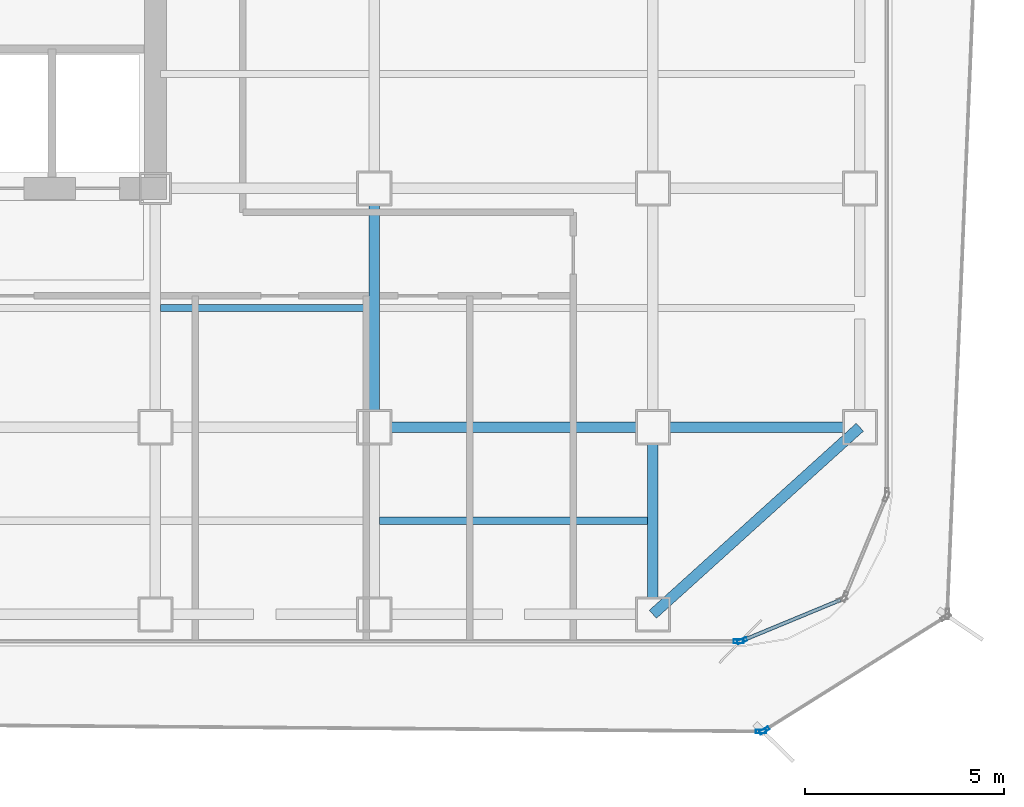
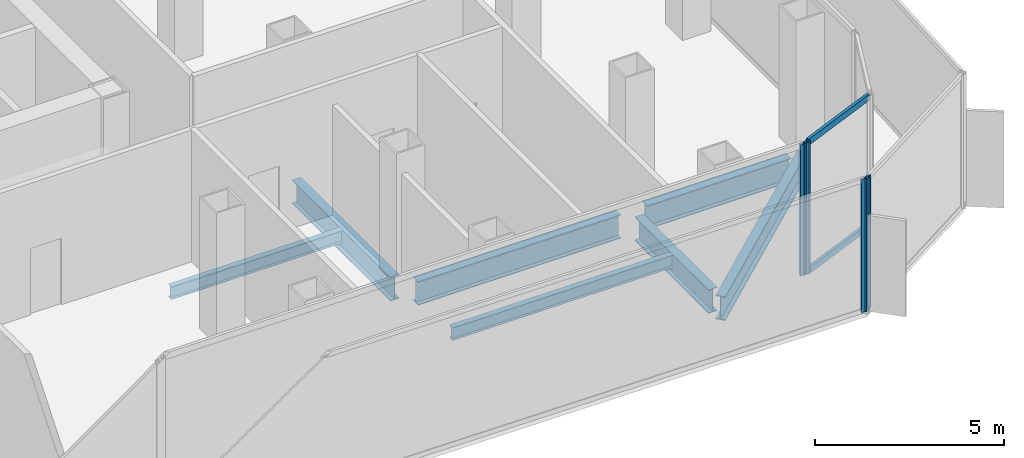
# One storey, part 6 of 21: 7 beams, 6 members, 4 elements without a shape of their own.
"""IFC4 building model written with IfcOpenShell, lengths in metres."""

from ifc_helpers import new_model, si_unit, direction, frame, origin, origin_2d, place, context, subcontext, project, spatial, hollow_rectangle, i_section, extrude, source, transform, mapped, material, layer, layer_set, material_profile, profile_set, type_object, element, aggregate, save


model = new_model("IFC4")

# Units and contexts
model_context = context("Model", 3, precision=1e-05, world=origin(), true_north=direction((0.0, 1.0)))
body_context = subcontext(model_context, "Body", "Model", "MODEL_VIEW")
ifc_project = project(units=[si_unit("LENGTHUNIT", "METRE"), si_unit("AREAUNIT", "SQUARE_METRE"), si_unit("VOLUMEUNIT", "CUBIC_METRE"), si_unit("PLANEANGLEUNIT", "RADIAN"), si_unit("MASSUNIT", "GRAM", prefix="KILO")], contexts=[model_context])

# Site, building, storey
site_placement = place(None, origin())
site = spatial("IfcSite", under=ifc_project, at=site_placement, CompositionType="ELEMENT")
building_placement = place(site_placement, origin())
building = spatial("IfcBuilding", under=site, at=building_placement, Name="Kolveth Station Tower", CompositionType="ELEMENT")
storey_placement = place(building_placement, frame((0.0, 0.0, 88.199951171875)))
storey = spatial("IfcBuildingStorey", under=building, at=storey_placement, Name="L23", CompositionType="ELEMENT", Elevation=88.199951171875)

# Beams
ifc_material_1 = material(Name="Steel S355", Category="steel")
ifc_material_profile_1 = material_profile(ifc_material_1, i_section(OverallWidth=0.26904296875, OverallDepth=0.77490234375, WebThickness=0.01708984375, FlangeThickness=0.0283203125, at=origin_2d()), Name="W760x220")
ifc_profile_set_1 = profile_set([ifc_material_profile_1], Name="Steel S355")
beam_type_1 = type_object("IfcBeamType", Name="Beam_SP1", PredefinedType="SPANDREL", material=ifc_profile_set_1)
shared_shape_1 = source(origin(), body_context, "Body", "SweptSolid", [
    extrude(i_section(OverallWidth=0.26904296875, OverallDepth=0.77490234375, WebThickness=0.01708984375, FlangeThickness=0.0283203125, at=origin_2d()), origin(), (0.0, 0.0, 1.0), 7.00927734375),
])
beam_1_placement = place(storey_placement, frame((41.0, 0.800048828125, -0.74755859375), z_axis=(0.741874009795, 0.670539300557, 0.0), x_axis=(-0.670539300557, 0.741874009795, 0.0)))
element("IfcBeam", 1, at=beam_1_placement, inside=storey, type_object=beam_type_1, Name="L23 Corner Edge Girder BM-L23-CNR-SE", PredefinedType="SPANDREL", context=body_context, shape_type="MappedRepresentation", body=[
    mapped(shared_shape_1, transform((0.0, 0.0, 0.0), x_axis=(1.0, 0.0, 0.0), y_axis=(0.0, 1.0, 0.0), z_axis=(0.0, 0.0, 1.0), scale=1.0)),
])
ifc_material_profile_2 = material_profile(ifc_material_1, i_section(OverallWidth=0.26708984375, OverallDepth=0.76611328125, WebThickness=0.014892578125, FlangeThickness=0.023681640625, at=origin_2d()), Name="W760x185")
ifc_profile_set_2 = profile_set([ifc_material_profile_2], Name="Steel S355")
beam_type_2 = type_object("IfcBeamType", Name="Beam_B3", PredefinedType="BEAM", material=ifc_profile_set_2)
shared_shape_2 = source(origin(), body_context, "Body", "SweptSolid", [
    extrude(i_section(OverallWidth=0.26708984375, OverallDepth=0.76611328125, WebThickness=0.014892578125, FlangeThickness=0.023681640625, at=origin_2d()), origin(), (0.0, 0.0, 1.0), 4.400146484375),
])
beam_2_placement = place(storey_placement, frame((41.39990234375, 5.5, -0.742919921875), z_axis=(1.0, 0.0, 0.0), x_axis=(0.0, 1.0, 0.0)))
element("IfcBeam", 2, at=beam_2_placement, inside=storey, type_object=beam_type_2, Name="L23 Primary Girder BM-L23-GY55-7", PredefinedType="BEAM", context=body_context, shape_type="MappedRepresentation", body=[
    mapped(shared_shape_2, transform((0.0, 0.0, 0.0), x_axis=(1.0, 0.0, 0.0), y_axis=(0.0, 1.0, 0.0), z_axis=(0.0, 0.0, 1.0), scale=1.0)),
])
shared_shape_3 = source(origin(), body_context, "Body", "SweptSolid", [
    extrude(i_section(OverallWidth=0.26708984375, OverallDepth=0.76611328125, WebThickness=0.014892578125, FlangeThickness=0.023681640625, at=origin_2d()), origin(), (0.0, 0.0, 1.0), 6.2001953125),
])
beam_3_placement = place(storey_placement, frame((34.39990234375, 5.5, -0.742919921875), z_axis=(1.0, 0.0, 0.0), x_axis=(0.0, 1.0, 0.0)))
element("IfcBeam", 3, at=beam_3_placement, inside=storey, type_object=beam_type_2, Name="L23 Primary Girder BM-L23-GY55-6", PredefinedType="BEAM", context=body_context, shape_type="MappedRepresentation", body=[
    mapped(shared_shape_3, transform((0.0, 0.0, 0.0), x_axis=(1.0, 0.0, 0.0), y_axis=(0.0, 1.0, 0.0), z_axis=(0.0, 0.0, 1.0), scale=1.0)),
])
shared_shape_4 = source(origin(), body_context, "Body", "SweptSolid", [
    extrude(i_section(OverallWidth=0.26708984375, OverallDepth=0.76611328125, WebThickness=0.014892578125, FlangeThickness=0.023681640625, at=origin_2d()), origin(), (0.0, 0.0, 1.0), 3.900146484375),
])
beam_4_placement = place(storey_placement, frame((41.0, 1.199951171875, -0.742919921875), z_axis=(0.0, 1.0, 0.0), x_axis=(-1.0, 0.0, 0.0)))
element("IfcBeam", 4, at=beam_4_placement, inside=storey, type_object=beam_type_2, Name="L23 Primary Girder BM-L23-GX410-1", PredefinedType="BEAM", context=body_context, shape_type="MappedRepresentation", body=[
    mapped(shared_shape_4, transform((0.0, 0.0, 0.0), x_axis=(1.0, 0.0, 0.0), y_axis=(0.0, 1.0, 0.0), z_axis=(0.0, 0.0, 1.0), scale=1.0)),
])
shared_shape_5 = source(origin(), body_context, "Body", "SweptSolid", [
    extrude(i_section(OverallWidth=0.26708984375, OverallDepth=0.76611328125, WebThickness=0.014892578125, FlangeThickness=0.023681640625, at=origin_2d()), origin(), (0.0, 0.0, 1.0), 5.2001953125),
])
beam_5_placement = place(storey_placement, frame((34.0, 5.89990234375, -0.742919921875), z_axis=(0.0, 1.0, 0.0), x_axis=(-1.0, 0.0, 0.0)))
element("IfcBeam", 5, at=beam_5_placement, inside=storey, type_object=beam_type_2, Name="L23 Primary Girder BM-L23-GX340-2", PredefinedType="BEAM", context=body_context, shape_type="MappedRepresentation", body=[
    mapped(shared_shape_5, transform((0.0, 0.0, 0.0), x_axis=(1.0, 0.0, 0.0), y_axis=(0.0, 1.0, 0.0), z_axis=(0.0, 0.0, 1.0), scale=1.0)),
])
ifc_material_profile_3 = material_profile(ifc_material_1, i_section(OverallWidth=0.177978515625, OverallDepth=0.406982421875, WebThickness=0.0078125, FlangeThickness=0.0126953125, at=origin_2d()), Name="W410x60")
ifc_profile_set_3 = profile_set([ifc_material_profile_3], Name="Steel S355")
beam_type_3 = type_object("IfcBeamType", Name="Beam_J1", PredefinedType="JOIST", material=ifc_profile_set_3)
shared_shape_6 = source(origin(), body_context, "Body", "SweptSolid", [
    extrude(i_section(OverallWidth=0.177978515625, OverallDepth=0.406982421875, WebThickness=0.0078125, FlangeThickness=0.0126953125, at=origin_2d()), origin(), (0.0, 0.0, 1.0), 6.73681640625),
])
beam_6_placement = place(storey_placement, frame((34.131591796875, 3.14990234375, -0.5634765625), z_axis=(1.0, 0.0, 0.0), x_axis=(0.0, 1.0, 0.0)))
element("IfcBeam", 6, at=beam_6_placement, inside=storey, type_object=beam_type_3, Name="L23 Secondary Joist JST-L23-6-1", PredefinedType="JOIST", context=body_context, shape_type="MappedRepresentation", body=[
    mapped(shared_shape_6, transform((0.0, 0.0, 0.0), x_axis=(1.0, 0.0, 0.0), y_axis=(0.0, 1.0, 0.0), z_axis=(0.0, 0.0, 1.0), scale=1.0)),
])
shared_shape_7 = source(origin(), body_context, "Body", "SweptSolid", [
    extrude(i_section(OverallWidth=0.177978515625, OverallDepth=0.406982421875, WebThickness=0.0078125, FlangeThickness=0.0126953125, at=origin_2d()), origin(), (0.0, 0.0, 1.0), 5.23681640625),
])
beam_7_placement = place(storey_placement, frame((28.631591796875, 8.5, -0.5634765625), z_axis=(1.0, 0.0, 0.0), x_axis=(0.0, 1.0, 0.0)))
element("IfcBeam", 7, at=beam_7_placement, inside=storey, type_object=beam_type_3, Name="L23 Secondary Joist JST-L23-5-2", PredefinedType="JOIST", context=body_context, shape_type="MappedRepresentation", body=[
    mapped(shared_shape_7, transform((0.0, 0.0, 0.0), x_axis=(1.0, 0.0, 0.0), y_axis=(0.0, 1.0, 0.0), z_axis=(0.0, 0.0, 1.0), scale=1.0)),
])

# Curtain wall, member
ifc_material_2 = material(Name="Aluminium 6063-T6 and acoustic laminated dark glass", Category="aluminium")
ifc_layer_1 = layer(ifc_material_2, 0.219970703125)
ifc_layer_set_1 = layer_set([ifc_layer_1], Name="Aluminium 6063-T6 and acoustic laminated dark glass")
curtain_wall_type_1 = type_object("IfcCurtainWallType", Name="CurtainWall_CW-SL", PredefinedType="NOTDEFINED", material=ifc_layer_set_1)
curtain_wall_1_placement = place(storey_placement, origin())
curtain_wall_1 = element("IfcCurtainWall", 8, at=curtain_wall_1_placement, inside=storey, type_object=curtain_wall_type_1, Name="L23 Inner Thermal Curtain Wall 1", PredefinedType="NOTDEFINED")
ifc_material_3 = material(Name="Black anodized aluminium 6063-T6", Category="aluminium")
ifc_material_profile_4 = material_profile(ifc_material_3, hollow_rectangle(XDim=0.094970703125, YDim=0.25, WallThickness=0.0048828125, at=origin_2d()), Name="ALU-95x250x5")
ifc_profile_set_4 = profile_set([ifc_material_profile_4], Name="Black anodized aluminium 6063-T6")
member_type_1 = type_object("IfcMemberType", Name="Mullion_ML-SL", PredefinedType="MULLION", material=ifc_profile_set_4)
shared_shape_8 = source(origin(), body_context, "Body", "SweptSolid", [
    extrude(hollow_rectangle(XDim=0.094970703125, YDim=0.25, WallThickness=0.0048828125, at=origin_2d()), origin(), (0.0, 0.0, 1.0), 4.25),
])
member_1_placement = place(storey_placement, frame((43.243896484375, 0.13818359375, 0.0), z_axis=(0.0, 0.0, 1.0), x_axis=(-0.38266326998, 0.923887883787, 0.0)))
member_1 = element("IfcMember", 9, at=member_1_placement, type_object=member_type_1, Name="CW-SL mullion 1", PredefinedType="MULLION", context=body_context, shape_type="MappedRepresentation", body=[
    mapped(shared_shape_8, transform((0.0, 0.0, 0.0), x_axis=(1.0, 0.0, 0.0), y_axis=(0.0, 1.0, 0.0), z_axis=(0.0, 0.0, 1.0), scale=1.0)),
])

curtain_wall_2_placement = place(storey_placement, origin())
curtain_wall_2 = element("IfcCurtainWall", 10, at=curtain_wall_2_placement, inside=storey, type_object=curtain_wall_type_1, Name="L23 Inner Thermal Curtain Wall 12", PredefinedType="NOTDEFINED")
member_2_placement = place(storey_placement, frame((43.152587890625, 0.1201171875, 0.0), z_axis=(0.0, 0.0, 1.0), x_axis=(0.0, 1.0, 0.0)))
member_2 = element("IfcMember", 11, at=member_2_placement, type_object=member_type_1, Name="CW-SL mullion 3", PredefinedType="MULLION", context=body_context, shape_type="MappedRepresentation", body=[
    mapped(shared_shape_8, transform((0.0, 0.0, 0.0), x_axis=(1.0, 0.0, 0.0), y_axis=(0.0, 1.0, 0.0), z_axis=(0.0, 0.0, 1.0), scale=1.0)),
])
aggregate(curtain_wall_2, [member_2])

# Member
ifc_material_profile_5 = material_profile(ifc_material_3, hollow_rectangle(XDim=0.090087890625, YDim=0.199951171875, WallThickness=0.0048828125, at=origin_2d()), Name="ALU-90x200x5")
ifc_profile_set_5 = profile_set([ifc_material_profile_5], Name="Black anodized aluminium 6063-T6")
member_type_2 = type_object("IfcMemberType", Name="Transom_TR-SL", PredefinedType="USERDEFINED", material=ifc_profile_set_5)
shared_shape_9 = source(origin(), body_context, "Body", "SweptSolid", [
    extrude(hollow_rectangle(XDim=0.090087890625, YDim=0.199951171875, WallThickness=0.0048828125, at=origin_2d()), origin(), (0.0, 0.0, 1.0), 2.62646484375),
])
member_3_placement = place(storey_placement, frame((43.287841796875, 0.15625, 0.045166015625), z_axis=(0.923875213954, 0.382693858119, 0.0), x_axis=(-0.382693858119, 0.923875213954, 0.0)))
member_3 = element("IfcMember", 12, at=member_3_placement, type_object=member_type_2, Name="CW-SL transom 1.1", ObjectType="TRANSOM", PredefinedType="USERDEFINED", context=body_context, shape_type="MappedRepresentation", body=[
    mapped(shared_shape_9, transform((0.0, 0.0, 0.0), x_axis=(1.0, 0.0, 0.0), y_axis=(0.0, 1.0, 0.0), z_axis=(0.0, 0.0, 1.0), scale=1.0)),
])

member_4_placement = place(storey_placement, frame((43.287841796875, 0.15625, 4.205078125), z_axis=(0.923875213954, 0.382693858119, 0.0), x_axis=(-0.382693858119, 0.923875213954, 0.0)))
member_4 = element("IfcMember", 13, at=member_4_placement, type_object=member_type_2, Name="CW-SL transom 1.2", ObjectType="TRANSOM", PredefinedType="USERDEFINED", context=body_context, shape_type="MappedRepresentation", body=[
    mapped(shared_shape_9, transform((0.0, 0.0, 0.0), x_axis=(1.0, 0.0, 0.0), y_axis=(0.0, 1.0, 0.0), z_axis=(0.0, 0.0, 1.0), scale=1.0)),
])

aggregate(curtain_wall_1, [member_1, member_3, member_4])

# Curtain wall, member
ifc_material_4 = material(Name="Black anodized aluminium 6063-T6 and dark solar glass", Category="aluminium")
ifc_layer_2 = layer(ifc_material_4, 0.159912109375)
ifc_layer_set_2 = layer_set([ifc_layer_2], Name="Black anodized aluminium 6063-T6 and dark solar glass")
curtain_wall_type_2 = type_object("IfcCurtainWallType", Name="OUTER SKIN CW-OS", PredefinedType="NOTDEFINED", material=ifc_layer_set_2)
curtain_wall_3_placement = place(storey_placement, origin())
curtain_wall_3 = element("IfcCurtainWall", 14, at=curtain_wall_3_placement, inside=storey, type_object=curtain_wall_type_2, Name="L23 Outer Ventilated Skin Curtain Wall 1", PredefinedType="NOTDEFINED")
ifc_material_profile_6 = material_profile(ifc_material_3, hollow_rectangle(XDim=0.090087890625, YDim=0.260009765625, WallThickness=0.0048828125, at=origin_2d()), Name="ALU-90x260x5")
ifc_profile_set_6 = profile_set([ifc_material_profile_6], Name="Black anodized aluminium 6063-T6")
member_type_3 = type_object("IfcMemberType", Name="FIN MULLION ML-OS", PredefinedType="MULLION", material=ifc_profile_set_6)
shared_shape_10 = source(origin(), body_context, "Body", "SweptSolid", [
    extrude(hollow_rectangle(XDim=0.090087890625, YDim=0.260009765625, WallThickness=0.0048828125, at=origin_2d()), origin(), (0.0, 0.0, 1.0), 4.2900390625),
])
member_5_placement = place(storey_placement, frame((43.801025390625, -2.12158203125, 0.0), z_axis=(0.0, 0.0, 1.0), x_axis=(-0.531426006263, 0.847104715999, 0.0)))
member_5 = element("IfcMember", 15, at=member_5_placement, type_object=member_type_3, Name="CW-OS mullion 1", PredefinedType="MULLION", context=body_context, shape_type="MappedRepresentation", body=[
    mapped(shared_shape_10, transform((0.0, 0.0, 0.0), x_axis=(1.0, 0.0, 0.0), y_axis=(0.0, 1.0, 0.0), z_axis=(0.0, 0.0, 1.0), scale=1.0)),
])
aggregate(curtain_wall_3, [member_5])

curtain_wall_4_placement = place(storey_placement, origin())
curtain_wall_4 = element("IfcCurtainWall", 16, at=curtain_wall_4_placement, inside=storey, type_object=curtain_wall_type_2, Name="L23 Outer Ventilated Skin Curtain Wall 8", PredefinedType="NOTDEFINED")
member_6_placement = place(storey_placement, frame((43.718017578125, -2.145263671875, 0.0), z_axis=(0.0, 0.0, 1.0), x_axis=(0.007794144651, 0.999969625193, 0.0)))
member_6 = element("IfcMember", 17, at=member_6_placement, type_object=member_type_3, Name="CW-OS mullion 2", PredefinedType="MULLION", context=body_context, shape_type="MappedRepresentation", body=[
    mapped(shared_shape_10, transform((0.0, 0.0, 0.0), x_axis=(1.0, 0.0, 0.0), y_axis=(0.0, 1.0, 0.0), z_axis=(0.0, 0.0, 1.0), scale=1.0)),
])
aggregate(curtain_wall_4, [member_6])

save(model, "model.ifc")
